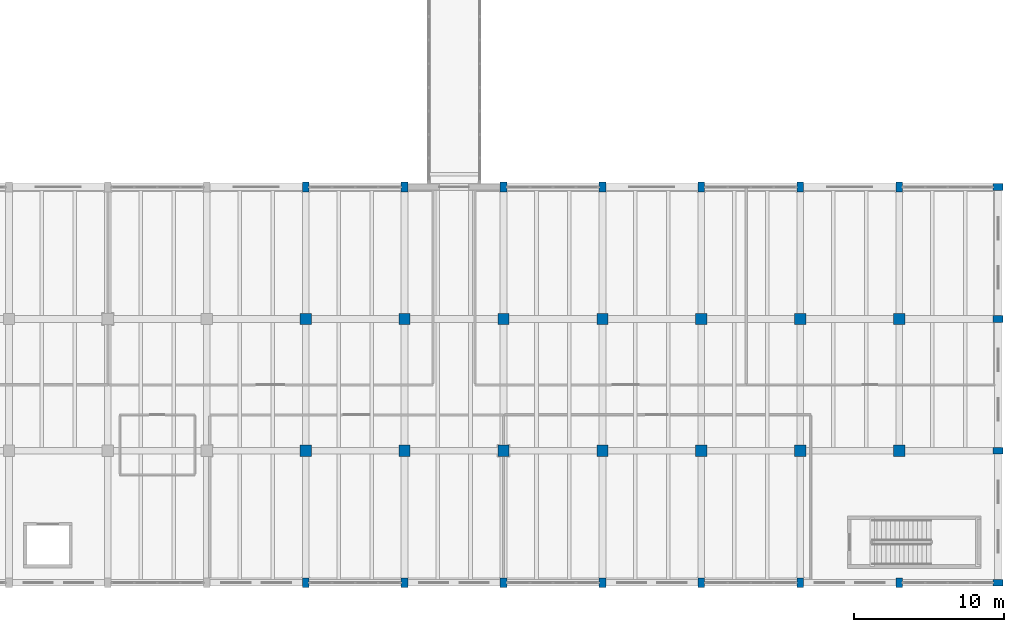
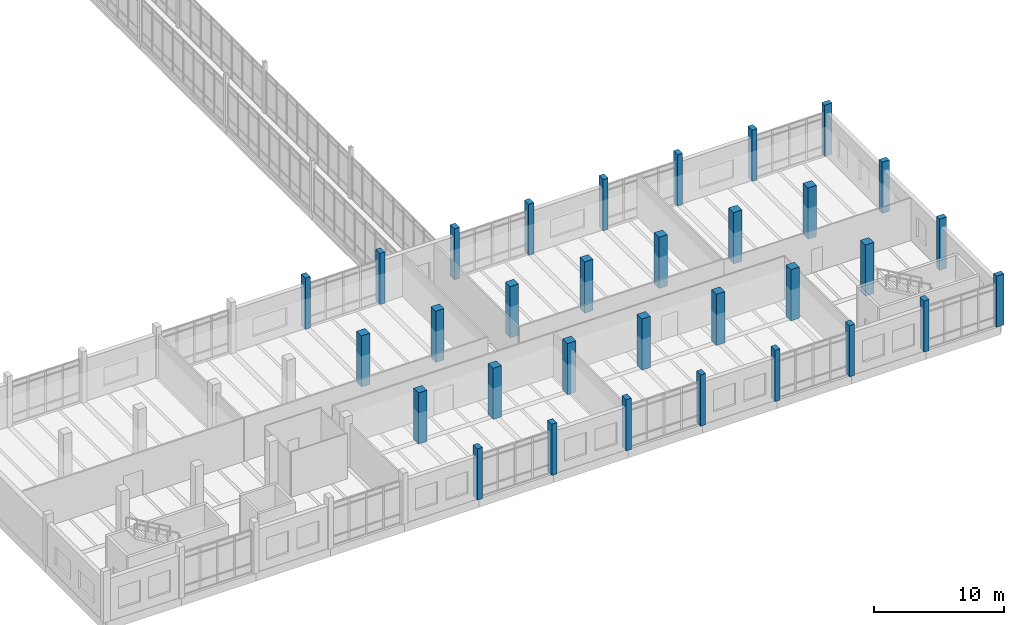
# One storey, part 12 of 125: 32 columns.
"""IFC4 building model written with IfcOpenShell, lengths in metres."""

from ifc_helpers import new_model, si_unit, direction, frame, origin, origin_2d, place, context, subcontext, project, spatial, rectangle, extrude, material, material_profile, profile_set, type_object, element, save


model = new_model("IFC4")

# Units and contexts
model_context = context("Model", 3, precision=1e-05, world=origin(), true_north=direction((0.0, 1.0)))
body_context = subcontext(model_context, "Body", "Model", "MODEL_VIEW")
ifc_project = project(units=[si_unit("LENGTHUNIT", "METRE"), si_unit("AREAUNIT", "SQUARE_METRE"), si_unit("VOLUMEUNIT", "CUBIC_METRE"), si_unit("PLANEANGLEUNIT", "RADIAN"), si_unit("MASSUNIT", "GRAM", prefix="KILO")], contexts=[model_context])

# Site, building, storey
site_placement = place(None, origin())
site = spatial("IfcSite", under=ifc_project, at=site_placement, CompositionType="ELEMENT")
building_placement = place(site_placement, origin())
building = spatial("IfcBuilding", under=site, at=building_placement, Name="Dornvale Research Institute", CompositionType="ELEMENT")
storey_placement = place(building_placement, frame((0.0, 0.0, 5.39990234375)))
storey = spatial("IfcBuildingStorey", under=building, at=storey_placement, Name="L01", CompositionType="ELEMENT", Elevation=5.39990234375)

# Columns
ifc_material_1 = material(Name="Concrete f'c 50 MPa (C40/50)", Category="concrete")
ifc_material_profile_1 = material_profile(ifc_material_1, rectangle(XDim=0.75, YDim=0.75, at=origin_2d()), Name="RC 750x750")
ifc_profile_set_1 = profile_set([ifc_material_profile_1], Name="Concrete f'c 50 MPa (C40/50)")
column_type_1 = type_object("IfcColumnType", Name="Column_RC750", PredefinedType="COLUMN", material=ifc_profile_set_1)
for number, where, z_axis, x_axis, name in (
    (1, (132.0, 8.800048828125, 0.0), (0.0, 0.0, 1.0), (1.0, 0.0, 0.0), "L01 column #851"),
    (2, (132.0, 17.60009765625, 0.0), (0.0, 0.0, 1.0), (1.0, 0.0, 0.0), "L01 column #852"),
    (3, (138.60009765625, 8.800048828125, 0.0), (0.0, 0.0, 1.0), (1.0, 0.0, 0.0), "L01 column #855"),
    (4, (138.60009765625, 17.60009765625, 0.0), (0.0, 0.0, 1.0), (1.0, 0.0, 0.0), "L01 column #856"),
    (5, (145.199951171875, 8.800048828125, 0.0), (0.0, 0.0, 1.0), (1.0, 0.0, 0.0), "L01 column #859"),
    (6, (145.199951171875, 17.60009765625, 0.0), (0.0, 0.0, 1.0), (1.0, 0.0, 0.0), "L01 column #860"),
    (7, (151.800048828125, 8.800048828125, 0.0), (0.0, 0.0, 1.0), (1.0, 0.0, 0.0), "L01 column #863"),
    (8, (151.800048828125, 17.60009765625, 0.0), (0.0, 0.0, 1.0), (1.0, 0.0, 0.0), "L01 column #864"),
    (9, (158.39990234375, 8.800048828125, 0.0), (0.0, 0.0, 1.0), (1.0, 0.0, 0.0), "L01 column #867"),
    (10, (158.39990234375, 17.60009765625, 0.0), (0.0, 0.0, 1.0), (1.0, 0.0, 0.0), "L01 column #868"),
    (11, (165.0, 8.800048828125, 0.0), (0.0, 0.0, 1.0), (1.0, 0.0, 0.0), "L01 column #871"),
    (12, (165.0, 17.60009765625, 0.0), (0.0, 0.0, 1.0), (1.0, 0.0, 0.0), "L01 column #872"),
    (13, (171.60009765625, 8.800048828125, 0.0), (0.0, 0.0, 1.0), (1.0, 0.0, 0.0), "L01 column #875"),
    (14, (171.60009765625, 17.60009765625, 0.0), (0.0, 0.0, 1.0), (1.0, 0.0, 0.0), "L01 column #876"),
):
    element("IfcColumn", number, at=place(storey_placement, frame(where, z_axis=z_axis, x_axis=x_axis)), inside=storey, type_object=column_type_1, Name=name, PredefinedType="COLUMN", context=body_context, shape_type="SweptSolid", body=[
        extrude(rectangle(XDim=0.75, YDim=0.75, at=origin_2d()), origin(), (0.0, 0.0, 1.0), 4.800048828125),
    ])
ifc_material_2 = material(Name="Concrete f'c 45 MPa (C35/45)", Category="concrete")
ifc_material_profile_2 = material_profile(ifc_material_2, rectangle(XDim=0.449951171875, YDim=0.64990234375, at=origin_2d()), Name="RC 450x650")
ifc_profile_set_2 = profile_set([ifc_material_profile_2], Name="Concrete f'c 45 MPa (C35/45)")
column_type_2 = type_object("IfcColumnType", Name="Pilaster_RC450x650_Ext", PredefinedType="PILASTER", material=ifc_profile_set_2)
for number, where, z_axis, x_axis, name in (
    (15, (132.0, 0.0, 0.0), (0.0, 0.0, 1.0), (1.0, 0.0, 0.0), "L01 column #850"),
    (16, (132.0, 26.39990234375, 0.0), (0.0, 0.0, 1.0), (1.0, 0.0, 0.0), "L01 column #853"),
    (17, (138.60009765625, 0.0, 0.0), (0.0, 0.0, 1.0), (1.0, 0.0, 0.0), "L01 column #854"),
    (18, (138.60009765625, 26.39990234375, 0.0), (0.0, 0.0, 1.0), (1.0, 0.0, 0.0), "L01 column #857"),
    (19, (145.199951171875, 0.0, 0.0), (0.0, 0.0, 1.0), (1.0, 0.0, 0.0), "L01 column #858"),
    (20, (145.199951171875, 26.39990234375, 0.0), (0.0, 0.0, 1.0), (1.0, 0.0, 0.0), "L01 column #861"),
    (21, (151.800048828125, 0.0, 0.0), (0.0, 0.0, 1.0), (1.0, 0.0, 0.0), "L01 column #862"),
    (22, (151.800048828125, 26.39990234375, 0.0), (0.0, 0.0, 1.0), (1.0, 0.0, 0.0), "L01 column #865"),
    (23, (158.39990234375, 0.0, 0.0), (0.0, 0.0, 1.0), (1.0, 0.0, 0.0), "L01 column #866"),
    (24, (158.39990234375, 26.39990234375, 0.0), (0.0, 0.0, 1.0), (1.0, 0.0, 0.0), "L01 column #869"),
    (25, (165.0, 0.0, 0.0), (0.0, 0.0, 1.0), (1.0, 0.0, 0.0), "L01 column #870"),
    (26, (165.0, 26.39990234375, 0.0), (0.0, 0.0, 1.0), (1.0, 0.0, 0.0), "L01 column #873"),
    (27, (171.60009765625, 0.0, 0.0), (0.0, 0.0, 1.0), (1.0, 0.0, 0.0), "L01 column #874"),
    (28, (171.60009765625, 26.39990234375, 0.0), (0.0, 0.0, 1.0), (1.0, 0.0, 0.0), "L01 column #877"),
    (29, (178.199951171875, 0.0, 0.0), (0.0, 0.0, 1.0), (0.0, 1.0, 0.0), "L01 column #878"),
    (30, (178.199951171875, 8.800048828125, 0.0), (0.0, 0.0, 1.0), (0.0, 1.0, 0.0), "L01 column #879"),
    (31, (178.199951171875, 17.60009765625, 0.0), (0.0, 0.0, 1.0), (0.0, 1.0, 0.0), "L01 column #880"),
    (32, (178.199951171875, 26.39990234375, 0.0), (0.0, 0.0, 1.0), (0.0, 1.0, 0.0), "L01 column #881"),
):
    element("IfcColumn", number, at=place(storey_placement, frame(where, z_axis=z_axis, x_axis=x_axis)), inside=storey, type_object=column_type_2, Name=name, PredefinedType="PILASTER", context=body_context, shape_type="SweptSolid", body=[
        extrude(rectangle(XDim=0.449951171875, YDim=0.64990234375, at=origin_2d()), origin(), (0.0, 0.0, 1.0), 4.800048828125),
    ])

save(model, "model.ifc")
